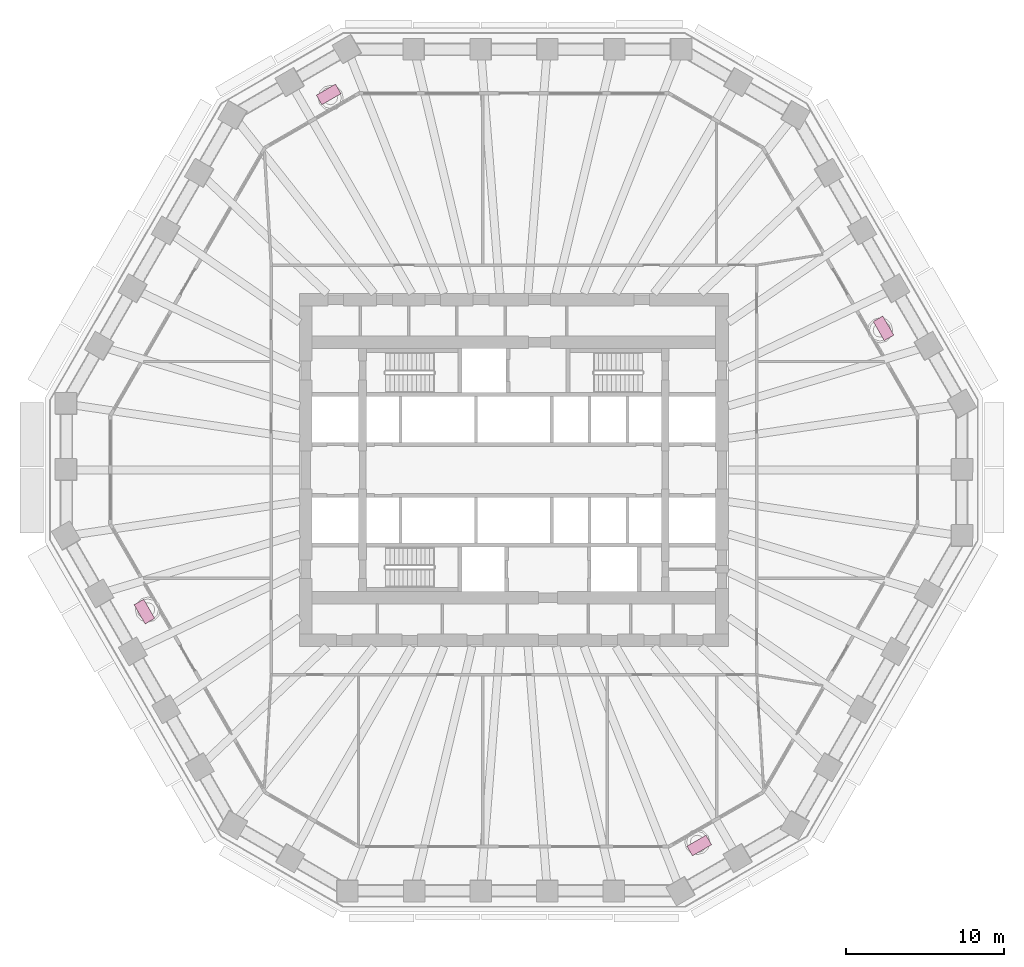
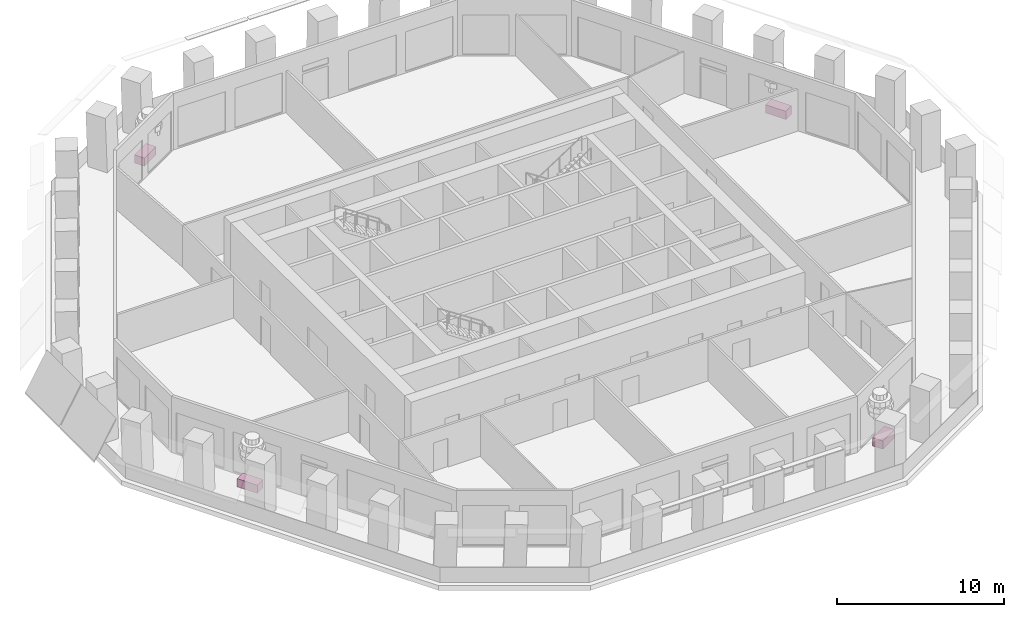
# One storey, part 11 of 12: 4 furniture elements.
"""IFC4 building model written with IfcOpenShell, lengths in metres."""

from ifc_helpers import new_model, si_unit, direction, frame, origin, origin_2d, place, context, subcontext, project, spatial, rectangle, extrude, material, type_object, element, save


model = new_model("IFC4")

# Units and contexts
model_context = context("Model", 3, precision=1e-05, world=origin(), true_north=direction((0.0, 1.0)))
body_context = subcontext(model_context, "Body", "Model", "MODEL_VIEW")
ifc_project = project(units=[si_unit("LENGTHUNIT", "METRE"), si_unit("AREAUNIT", "SQUARE_METRE"), si_unit("VOLUMEUNIT", "CUBIC_METRE"), si_unit("PLANEANGLEUNIT", "RADIAN"), si_unit("MASSUNIT", "GRAM", prefix="KILO")], contexts=[model_context])

# Site, building, storey
site_placement = place(None, origin())
site = spatial("IfcSite", under=ifc_project, at=site_placement, CompositionType="ELEMENT")
building_placement = place(site_placement, origin())
building = spatial("IfcBuilding", under=site, at=building_placement, Name="Frailejon Research Tower", CompositionType="ELEMENT")
storey_placement = place(building_placement, frame((0.0, 0.0, 80.800048828125)))
storey = spatial("IfcBuildingStorey", under=building, at=storey_placement, Name="L17", CompositionType="ELEMENT", Elevation=80.800048828125)

# Furniture
ifc_material = material(Name="Precast concrete C30/37 planter, terracotta", Category="masonry")
furniture_type = type_object("IfcFurnitureType", Name="Loggia planter 1400x700", AssemblyPlace="NOTDEFINED", PredefinedType="USERDEFINED", material=ifc_material)
for number, where, z_axis, x_axis, name in (
    (1, (23.44873046875, 8.985595703125, 0.0), (0.0, 0.0, 1.0), (-0.5, 0.866025403784, 0.0), "Planter L17"),
    (2, (-11.75634765625, 23.826904296875, 0.0), (0.0, 0.0, 1.0), (-0.866025403784, -0.5, 0.0), "Planter L17"),
    (3, (-23.44873046875, -8.985595703125, 0.0), (0.0, 0.0, 1.0), (0.5, -0.866025403784, 0.0), "Planter L17"),
    (4, (11.75634765625, -23.826904296875, 0.0), (0.0, 0.0, 1.0), (0.866025403784, 0.5, 0.0), "Planter L17"),
):
    element("IfcFurniture", number, at=place(storey_placement, frame(where, z_axis=z_axis, x_axis=x_axis)), inside=storey, type_object=furniture_type, Name=name, ObjectType="PLANTER", PredefinedType="USERDEFINED", context=body_context, shape_type="SweptSolid", body=[
        extrude(rectangle(XDim=1.39990234375, YDim=0.699951171875, at=origin_2d()), origin(), (0.0, 0.0, 1.0), 0.60009765625),
    ])

save(model, "model.ifc")
